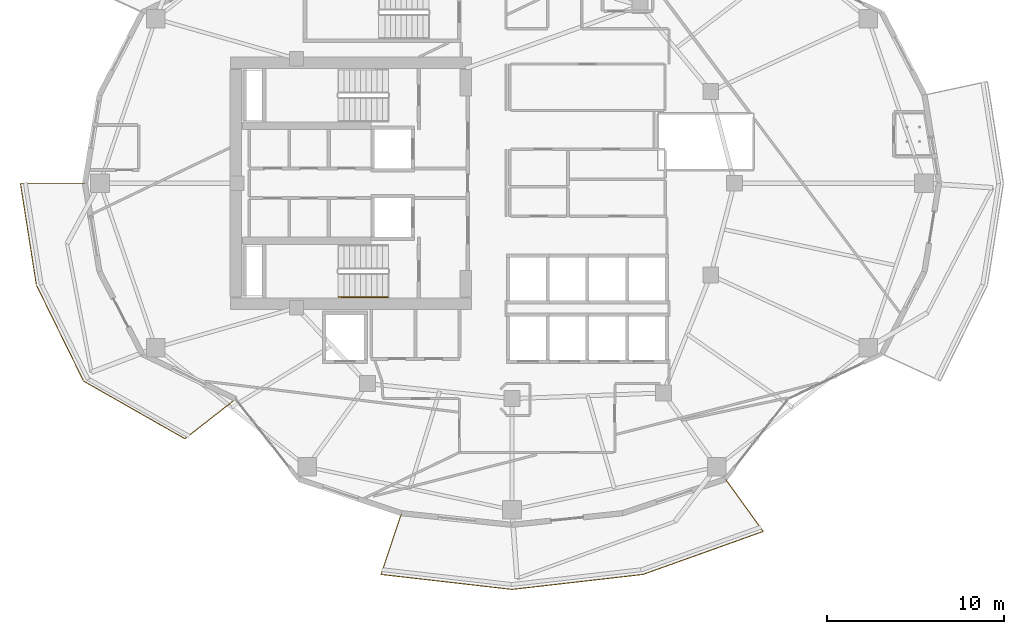
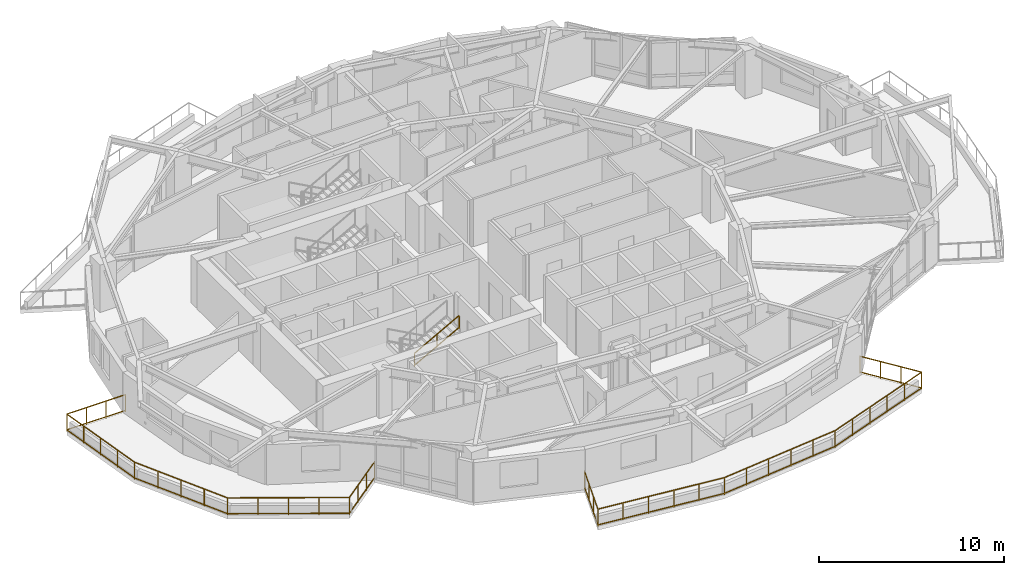
# One storey, part 16 of 19: 3 railings.
"""IFC4 building model written with IfcOpenShell, lengths in metres."""

from ifc_helpers import new_model, si_unit, direction, frame, origin, origin_2d, place, context, subcontext, project, spatial, rectangle, extrude, material, type_object, element, save


model = new_model("IFC4")

# Units and contexts
model_context = context("Model", 3, precision=1e-05, world=origin(), true_north=direction((0.0, 1.0)))
body_context = subcontext(model_context, "Body", "Model", "MODEL_VIEW")
ifc_project = project(units=[si_unit("LENGTHUNIT", "METRE"), si_unit("AREAUNIT", "SQUARE_METRE"), si_unit("VOLUMEUNIT", "CUBIC_METRE"), si_unit("PLANEANGLEUNIT", "RADIAN"), si_unit("MASSUNIT", "GRAM", prefix="KILO")], contexts=[model_context])

# Site, building, storey
site_placement = place(None, origin())
site = spatial("IfcSite", under=ifc_project, at=site_placement, CompositionType="ELEMENT")
building_placement = place(site_placement, origin())
building = spatial("IfcBuilding", under=site, at=building_placement, Name="Kolvaren Gate Tower and Convention Centre", CompositionType="ELEMENT")
storey_placement = place(building_placement, frame((0.0, 0.0, 122.300048828125)))
storey = spatial("IfcBuildingStorey", under=building, at=storey_placement, Name="L30", CompositionType="ELEMENT", Elevation=122.300048828125)

# Railings
ifc_material = material(Name="Brushed Stainless Steel Grade 316L", Category="steel")
railing_type_1 = type_object("IfcRailingType", Name="ARCH-RL-GUARD-1150", PredefinedType="GUARDRAIL", material=ifc_material)
railing_1_placement = place(storey_placement, frame((5.9375, 27.0, 0.0)))
element("IfcRailing", 1, at=railing_1_placement, inside=storey, type_object=railing_type_1, Name="Tower L30 Terrace Perimeter Guardrail GR-2", PredefinedType="GUARDRAIL", context=body_context, shape_type="SweptSolid", body=[
    extrude(rectangle(XDim=0.048095703125, YDim=0.048095703125, at=origin_2d()), frame((-0.028076171875, 0.0, 1.1259765625), z_axis=(-1.0, 0.0, 0.0), x_axis=(0.0, -1.0, 0.0)), (0.0, 0.0, 1.0), 3.603759765625),
    extrude(rectangle(XDim=0.048095703125, YDim=0.048095703125, at=origin_2d()), frame((-0.028076171875, 0.0, 0.083984375), z_axis=(-1.0, 0.0, 0.0), x_axis=(0.0, -1.0, 0.0)), (0.0, 0.0, 1.0), 3.603759765625),
    extrude(rectangle(XDim=0.048095703125, YDim=0.048095703125, at=origin_2d()), frame((-3.655517578125, -0.027587890625, 1.1259765625), z_axis=(0.154903030247, -0.987929679289, 0.0), x_axis=(0.987929679289, 0.154903030247, 0.0)), (0.0, 0.0, 1.0), 5.78955078125),
    extrude(rectangle(XDim=0.048095703125, YDim=0.048095703125, at=origin_2d()), frame((-3.655517578125, -0.027587890625, 0.083984375), z_axis=(0.154903030247, -0.987929679289, 0.0), x_axis=(0.987929679289, 0.154903030247, 0.0)), (0.0, 0.0, 1.0), 5.78955078125),
    extrude(rectangle(XDim=0.048095703125, YDim=0.048095703125, at=origin_2d()), frame((-2.741943359375, -5.80029296875, 1.1259765625), z_axis=(0.441237167293, -0.897390529368, 0.0), x_axis=(0.897390529368, 0.441237167293, 0.0)), (0.0, 0.0, 1.0), 5.999755859375),
    extrude(rectangle(XDim=0.048095703125, YDim=0.048095703125, at=origin_2d()), frame((-2.741943359375, -5.80029296875, 0.083984375), z_axis=(0.441237167293, -0.897390529368, 0.0), x_axis=(0.897390529368, 0.441237167293, 0.0)), (0.0, 0.0, 1.0), 5.999755859375),
    extrude(rectangle(XDim=0.048095703125, YDim=0.048095703125, at=origin_2d()), frame((-0.057861328125, -11.2236328125, 1.1259765625), z_axis=(0.869196694318, -0.494466486819, 0.0), x_axis=(0.494466486819, 0.869196694318, 0.0)), (0.0, 0.0, 1.0), 6.55029296875),
    extrude(rectangle(XDim=0.048095703125, YDim=0.048095703125, at=origin_2d()), frame((-0.057861328125, -11.2236328125, 0.083984375), z_axis=(0.869196694318, -0.494466486819, 0.0), x_axis=(0.494466486819, 0.869196694318, 0.0)), (0.0, 0.0, 1.0), 6.55029296875),
    extrude(rectangle(XDim=0.048095703125, YDim=0.048095703125, at=origin_2d()), frame((5.68212890625, -14.458984375, 1.1259765625), z_axis=(0.787963688807, 0.615721710776, 0.0), x_axis=(-0.615721710776, 0.787963688807, 0.0)), (0.0, 0.0, 1.0), 3.603759765625),
    extrude(rectangle(XDim=0.048095703125, YDim=0.048095703125, at=origin_2d()), frame((5.68212890625, -14.458984375, 0.083984375), z_axis=(0.787963688807, 0.615721710776, 0.0), x_axis=(-0.615721710776, 0.787963688807, 0.0)), (0.0, 0.0, 1.0), 3.603759765625),
    extrude(rectangle(XDim=0.0419921875, YDim=0.0419921875, at=origin_2d()), origin(), (0.0, 0.0, 1.0), 1.14990234375),
    extrude(rectangle(XDim=0.0419921875, YDim=0.0419921875, at=origin_2d()), frame((-3.659912109375, 0.0, 0.0)), (0.0, 0.0, 1.0), 1.14990234375),
    extrude(rectangle(XDim=0.0419921875, YDim=0.0419921875, at=origin_2d()), frame((-1.219970703125, 0.0, 0.0)), (0.0, 0.0, 1.0), 1.099853515625),
    extrude(rectangle(XDim=0.0419921875, YDim=0.0419921875, at=origin_2d()), frame((-2.43994140625, 0.0, 0.0)), (0.0, 0.0, 1.0), 1.099853515625),
    extrude(rectangle(XDim=0.0419921875, YDim=0.0419921875, at=origin_2d()), frame((-2.75439453125, -5.775146484375, 0.0)), (0.0, 0.0, 1.0), 1.14990234375),
    extrude(rectangle(XDim=0.0419921875, YDim=0.0419921875, at=origin_2d()), frame((-3.43359375, -1.44384765625, 0.0)), (0.0, 0.0, 1.0), 1.099853515625),
    extrude(rectangle(XDim=0.0419921875, YDim=0.0419921875, at=origin_2d()), frame((-3.20703125, -2.8876953125, 0.0)), (0.0, 0.0, 1.0), 1.099853515625),
    extrude(rectangle(XDim=0.0419921875, YDim=0.0419921875, at=origin_2d()), frame((-2.980712890625, -4.331298828125, 0.0)), (0.0, 0.0, 1.0), 1.099853515625),
    extrude(rectangle(XDim=0.0419921875, YDim=0.0419921875, at=origin_2d()), frame((-0.082275390625, -11.209716796875, 0.0)), (0.0, 0.0, 1.0), 1.14990234375),
    extrude(rectangle(XDim=0.0419921875, YDim=0.0419921875, at=origin_2d()), frame((-2.08642578125, -7.1337890625, 0.0)), (0.0, 0.0, 1.0), 1.099853515625),
    extrude(rectangle(XDim=0.0419921875, YDim=0.0419921875, at=origin_2d()), frame((-1.41845703125, -8.492431640625, 0.0)), (0.0, 0.0, 1.0), 1.099853515625),
    extrude(rectangle(XDim=0.0419921875, YDim=0.0419921875, at=origin_2d()), frame((-0.750244140625, -9.85107421875, 0.0)), (0.0, 0.0, 1.0), 1.099853515625),
    extrude(rectangle(XDim=0.0419921875, YDim=0.0419921875, at=origin_2d()), frame((5.659912109375, -14.476318359375, 0.0)), (0.0, 0.0, 1.0), 1.14990234375),
    extrude(rectangle(XDim=0.0419921875, YDim=0.0419921875, at=origin_2d()), frame((1.353271484375, -12.0263671875, 0.0)), (0.0, 0.0, 1.0), 1.099853515625),
    extrude(rectangle(XDim=0.0419921875, YDim=0.0419921875, at=origin_2d()), frame((2.788818359375, -12.843017578125, 0.0)), (0.0, 0.0, 1.0), 1.099853515625),
    extrude(rectangle(XDim=0.0419921875, YDim=0.0419921875, at=origin_2d()), frame((4.224365234375, -13.65966796875, 0.0)), (0.0, 0.0, 1.0), 1.099853515625),
    extrude(rectangle(XDim=0.0419921875, YDim=0.0419921875, at=origin_2d()), frame((8.543701171875, -12.222900390625, 0.0)), (0.0, 0.0, 1.0), 1.14990234375),
    extrude(rectangle(XDim=0.0419921875, YDim=0.0419921875, at=origin_2d()), frame((6.62109375, -13.72509765625, 0.0)), (0.0, 0.0, 1.0), 1.099853515625),
    extrude(rectangle(XDim=0.0419921875, YDim=0.0419921875, at=origin_2d()), frame((7.58251953125, -12.97412109375, 0.0)), (0.0, 0.0, 1.0), 1.099853515625),
])
railing_2_placement = place(storey_placement, frame((23.86474609375, 8.309326171875, 0.0)))
element("IfcRailing", 2, at=railing_2_placement, inside=storey, type_object=railing_type_1, Name="Tower L30 Terrace Perimeter Guardrail GR-3", PredefinedType="GUARDRAIL", context=body_context, shape_type="SweptSolid", body=[
    extrude(rectangle(XDim=0.048095703125, YDim=0.048095703125, at=origin_2d()), frame((-0.0087890625, -0.026611328125, 1.1259765625), z_axis=(-0.317588247294, -0.948228719867, 0.0), x_axis=(0.948228719867, -0.317588247294, 0.0)), (0.0, 0.0, 1.0), 3.603759765625),
    extrude(rectangle(XDim=0.048095703125, YDim=0.048095703125, at=origin_2d()), frame((-0.0087890625, -0.026611328125, 0.083984375), z_axis=(-0.317588247294, -0.948228719867, 0.0), x_axis=(0.948228719867, -0.317588247294, 0.0)), (0.0, 0.0, 1.0), 3.603759765625),
    extrude(rectangle(XDim=0.048095703125, YDim=0.048095703125, at=origin_2d()), frame((-1.134521484375, -3.4736328125, 1.1259765625), z_axis=(0.993523927361, -0.113623086387, 0.0), x_axis=(0.113623086387, 0.993523927361, 0.0)), (0.0, 0.0, 1.0), 7.414794921875),
    extrude(rectangle(XDim=0.048095703125, YDim=0.048095703125, at=origin_2d()), frame((-1.134521484375, -3.4736328125, 0.083984375), z_axis=(0.993523927361, -0.113623086387, 0.0), x_axis=(0.113623086387, 0.993523927361, 0.0)), (0.0, 0.0, 1.0), 7.414794921875),
    extrude(rectangle(XDim=0.048095703125, YDim=0.048095703125, at=origin_2d()), frame((6.2880859375, -4.316162109375, 1.1259765625), z_axis=(0.993523927361, 0.113623086387, 0.0), x_axis=(-0.113623086387, 0.993523927361, 0.0)), (0.0, 0.0, 1.0), 7.414794921875),
    extrude(rectangle(XDim=0.048095703125, YDim=0.048095703125, at=origin_2d()), frame((6.2880859375, -4.316162109375, 0.083984375), z_axis=(0.993523927361, 0.113623086387, 0.0), x_axis=(-0.113623086387, 0.993523927361, 0.0)), (0.0, 0.0, 1.0), 7.414794921875),
    extrude(rectangle(XDim=0.048095703125, YDim=0.048095703125, at=origin_2d()), frame((13.709228515625, -3.4609375, 1.1259765625), z_axis=(0.941628873241, 0.336652736627, 0.0), x_axis=(-0.336652736627, 0.941628873241, 0.0)), (0.0, 0.0, 1.0), 7.17919921875),
    extrude(rectangle(XDim=0.048095703125, YDim=0.048095703125, at=origin_2d()), frame((13.709228515625, -3.4609375, 0.083984375), z_axis=(0.941628873241, 0.336652736627, 0.0), x_axis=(-0.336652736627, 0.941628873241, 0.0)), (0.0, 0.0, 1.0), 7.17919921875),
    extrude(rectangle(XDim=0.048095703125, YDim=0.048095703125, at=origin_2d()), frame((20.4794921875, -1.011962890625, 1.1259765625), z_axis=(-0.585212870465, 0.810879705161, 0.0), x_axis=(-0.810879705161, -0.585212870465, 0.0)), (0.0, 0.0, 1.0), 3.603759765625),
    extrude(rectangle(XDim=0.048095703125, YDim=0.048095703125, at=origin_2d()), frame((20.4794921875, -1.011962890625, 0.083984375), z_axis=(-0.585212870465, 0.810879705161, 0.0), x_axis=(-0.810879705161, -0.585212870465, 0.0)), (0.0, 0.0, 1.0), 3.603759765625),
    extrude(rectangle(XDim=0.0419921875, YDim=0.0419921875, at=origin_2d()), origin(), (0.0, 0.0, 1.0), 1.14990234375),
    extrude(rectangle(XDim=0.0419921875, YDim=0.0419921875, at=origin_2d()), frame((-1.162353515625, -3.470458984375, 0.0)), (0.0, 0.0, 1.0), 1.14990234375),
    extrude(rectangle(XDim=0.0419921875, YDim=0.0419921875, at=origin_2d()), frame((-0.387451171875, -1.15673828125, 0.0)), (0.0, 0.0, 1.0), 1.099853515625),
    extrude(rectangle(XDim=0.0419921875, YDim=0.0419921875, at=origin_2d()), frame((-0.77490234375, -2.313720703125, 0.0)), (0.0, 0.0, 1.0), 1.099853515625),
    extrude(rectangle(XDim=0.0419921875, YDim=0.0419921875, at=origin_2d()), frame((6.26025390625, -4.3193359375, 0.0)), (0.0, 0.0, 1.0), 1.14990234375),
    extrude(rectangle(XDim=0.0419921875, YDim=0.0419921875, at=origin_2d()), frame((0.322265625, -3.64013671875, 0.0)), (0.0, 0.0, 1.0), 1.099853515625),
    extrude(rectangle(XDim=0.0419921875, YDim=0.0419921875, at=origin_2d()), frame((1.806640625, -3.81005859375, 0.0)), (0.0, 0.0, 1.0), 1.099853515625),
    extrude(rectangle(XDim=0.0419921875, YDim=0.0419921875, at=origin_2d()), frame((3.291259765625, -3.979736328125, 0.0)), (0.0, 0.0, 1.0), 1.099853515625),
    extrude(rectangle(XDim=0.0419921875, YDim=0.0419921875, at=origin_2d()), frame((4.775634765625, -4.149658203125, 0.0)), (0.0, 0.0, 1.0), 1.099853515625),
    extrude(rectangle(XDim=0.0419921875, YDim=0.0419921875, at=origin_2d()), frame((13.682861328125, -3.470458984375, 0.0)), (0.0, 0.0, 1.0), 1.14990234375),
    extrude(rectangle(XDim=0.0419921875, YDim=0.0419921875, at=origin_2d()), frame((7.744873046875, -4.149658203125, 0.0)), (0.0, 0.0, 1.0), 1.099853515625),
    extrude(rectangle(XDim=0.0419921875, YDim=0.0419921875, at=origin_2d()), frame((9.229248046875, -3.979736328125, 0.0)), (0.0, 0.0, 1.0), 1.099853515625),
    extrude(rectangle(XDim=0.0419921875, YDim=0.0419921875, at=origin_2d()), frame((10.7138671875, -3.81005859375, 0.0)), (0.0, 0.0, 1.0), 1.099853515625),
    extrude(rectangle(XDim=0.0419921875, YDim=0.0419921875, at=origin_2d()), frame((12.1982421875, -3.64013671875, 0.0)), (0.0, 0.0, 1.0), 1.099853515625),
    extrude(rectangle(XDim=0.0419921875, YDim=0.0419921875, at=origin_2d()), frame((20.495849609375, -1.03466796875, 0.0)), (0.0, 0.0, 1.0), 1.14990234375),
    extrude(rectangle(XDim=0.0419921875, YDim=0.0419921875, at=origin_2d()), frame((15.04541015625, -2.9833984375, 0.0)), (0.0, 0.0, 1.0), 1.099853515625),
    extrude(rectangle(XDim=0.0419921875, YDim=0.0419921875, at=origin_2d()), frame((16.407958984375, -2.49609375, 0.0)), (0.0, 0.0, 1.0), 1.099853515625),
    extrude(rectangle(XDim=0.0419921875, YDim=0.0419921875, at=origin_2d()), frame((17.770751953125, -2.009033203125, 0.0)), (0.0, 0.0, 1.0), 1.099853515625),
    extrude(rectangle(XDim=0.0419921875, YDim=0.0419921875, at=origin_2d()), frame((19.13330078125, -1.521728515625, 0.0)), (0.0, 0.0, 1.0), 1.099853515625),
    extrude(rectangle(XDim=0.0419921875, YDim=0.0419921875, at=origin_2d()), frame((18.35400390625, 1.93310546875, 0.0)), (0.0, 0.0, 1.0), 1.14990234375),
    extrude(rectangle(XDim=0.0419921875, YDim=0.0419921875, at=origin_2d()), frame((19.781982421875, -0.04541015625, 0.0)), (0.0, 0.0, 1.0), 1.099853515625),
    extrude(rectangle(XDim=0.0419921875, YDim=0.0419921875, at=origin_2d()), frame((19.06787109375, 0.94384765625, 0.0)), (0.0, 0.0, 1.0), 1.099853515625),
])
railing_type_2 = type_object("IfcRailingType", Name="ARCH-RL-HANDRAIL-920", PredefinedType="HANDRAIL", material=ifc_material)
railing_3_placement = place(storey_placement, frame((20.31005859375, 20.550048828125, 1.869873046875)))
element("IfcRailing", 3, at=railing_3_placement, inside=storey, type_object=railing_type_2, Name="L30 ST-T2 stair handrail 2", PredefinedType="HANDRAIL", context=body_context, shape_type="SweptSolid", body=[
    extrude(rectangle(XDim=0.048095703125, YDim=0.048095703125, at=origin_2d()), frame((0.0, 0.0, 0.8759765625), z_axis=(0.876811365212, 0.0, 0.480834513982), x_axis=(0.0, 1.0, 0.0)), (0.0, 0.0, 1.0), 3.18212890625),
    extrude(rectangle(XDim=0.048095703125, YDim=0.048095703125, at=origin_2d()), frame((0.0, 0.0, 0.083984375), z_axis=(0.876811365212, 0.0, 0.480834513982), x_axis=(0.0, 1.0, 0.0)), (0.0, 0.0, 1.0), 3.18212890625),
    extrude(rectangle(XDim=0.0419921875, YDim=0.0419921875, at=origin_2d()), origin(), (0.0, 0.0, 1.0), 0.849853515625),
    extrude(rectangle(XDim=0.0419921875, YDim=0.0419921875, at=origin_2d()), frame((2.7900390625, 0.0, 1.530029296875)), (0.0, 0.0, 1.0), 0.849853515625),
    extrude(rectangle(XDim=0.0419921875, YDim=0.0419921875, at=origin_2d()), frame((1.39501953125, 0.0, 0.76513671875)), (0.0, 0.0, 1.0), 0.849853515625),
])

save(model, "model.ifc")
